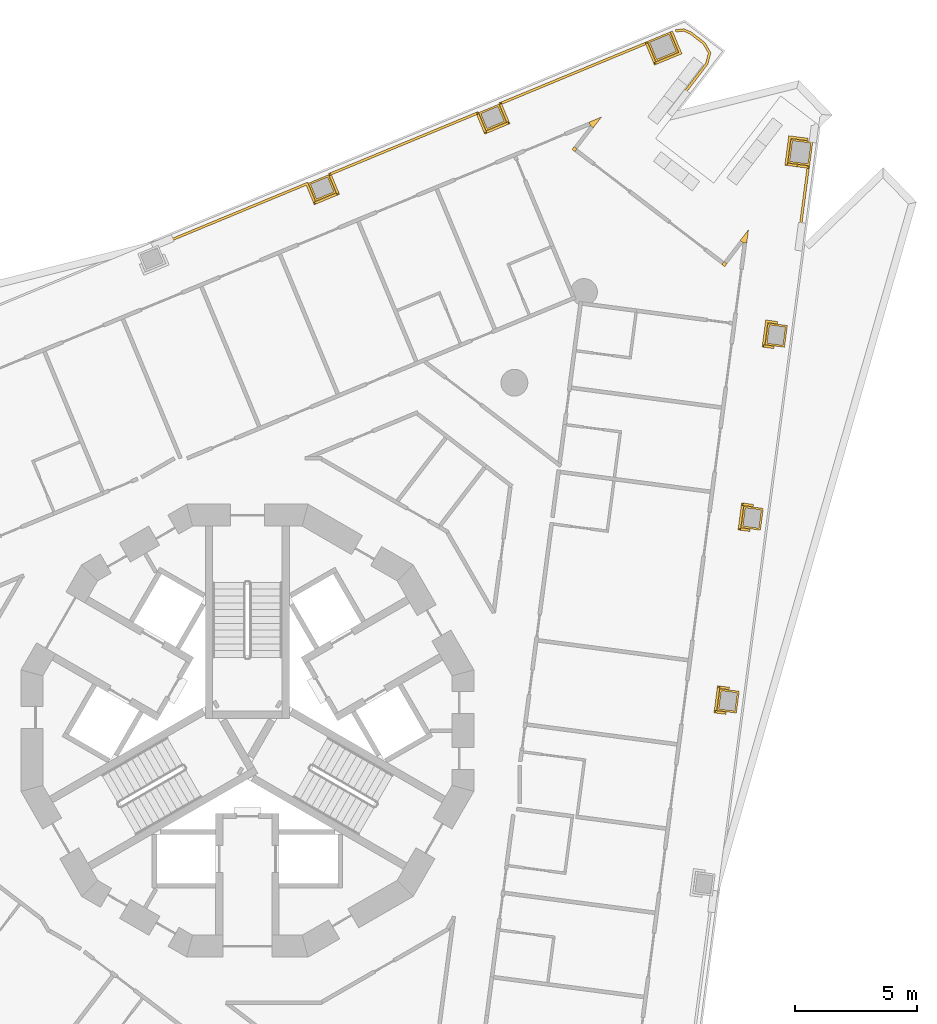
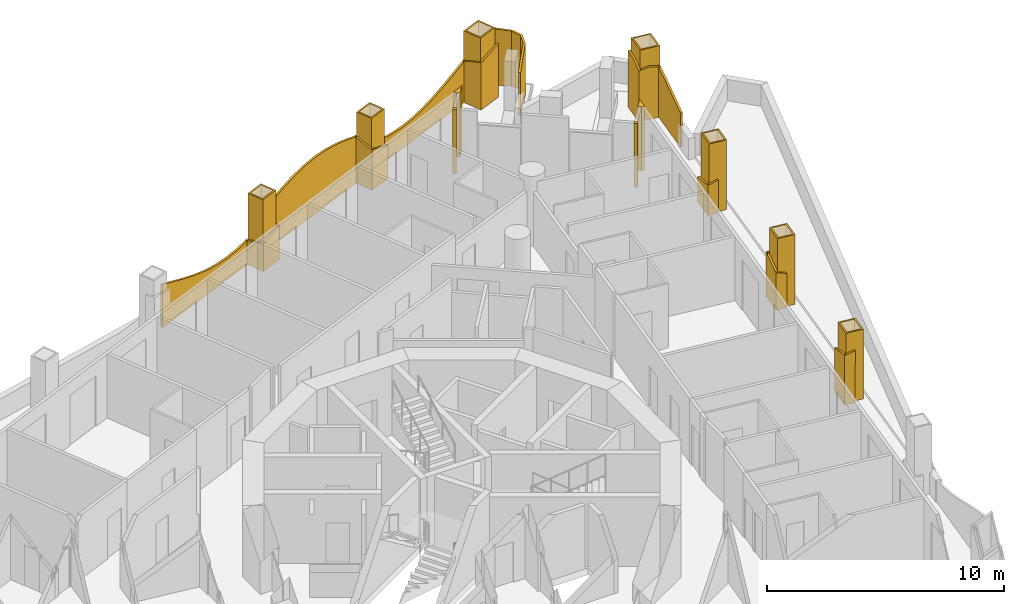
# One storey, part 18 of 19: 11 coverings, 6 railings.
"""IFC4 building model written with IfcOpenShell, lengths in metres."""

import ifcopenshell
import ifcopenshell.guid

model = None  # the IFC model being written
_history = None  # IfcOwnerHistory: only IFC2X3 demands one
_inside = {}  # id of a spatial element -> (the spatial element, [elements in it])
_under = {}  # id of a project, library or spatial element -> (it, [spatial elements below it])
_declared = {}  # id of a project -> (the project, [libraries it declares])
_typed = {}  # id of a type object -> (the type object, [elements of that type])
_made_of = {}  # id of a material, layer set ... -> (it, [elements and type objects made of it])


def new_model(schema):
    """Start an empty IFC model of exactly this schema.

    Asked for "IFC4X3", IfcOpenShell would pick the latest addendum, in which some entities
    have other attributes; the version numbers below select the first issue.
    IFC2X3 requires an IfcOwnerHistory on every rooted entity: one is made here for all.
    """
    global model, _history
    if schema == "IFC4X3":
        model = ifcopenshell.file(schema_version=(4, 3, 0, 0))
    else:
        model = ifcopenshell.file(schema=schema)
    _inside.clear()
    _under.clear()
    _declared.clear()
    _typed.clear()
    _made_of.clear()
    _history = None
    if model.schema == "IFC2X3":
        org = make("IfcOrganization", Name="unknown")
        user = make(
            "IfcPersonAndOrganization",
            ThePerson=make("IfcPerson", FamilyName="unknown"),
            TheOrganization=org,
        )
        app = make(
            "IfcApplication",
            ApplicationDeveloper=org,
            Version="unknown",
            ApplicationFullName="unknown",
            ApplicationIdentifier="unknown",
        )
        _history = make(
            "IfcOwnerHistory",
            OwningUser=user,
            OwningApplication=app,
            ChangeAction="ADDED",
            CreationDate=0,
        )
    return model


def make(cls, **values):
    """One entity of the class cls with the attributes given. An attribute that is None is left unset."""
    return model.create_entity(
        cls, **{name: value for name, value in values.items() if value is not None}
    )


def rooted(cls, **values):
    """An entity with a GlobalId (a new one), such as an element, a storey or a relation."""
    return make(cls, GlobalId=ifcopenshell.guid.new(), OwnerHistory=_history, **values)


def si_unit(unit_type, name, prefix=None):
    """IfcSIUnit, for example si_unit("LENGTHUNIT", "METRE", prefix="MILLI")."""
    return make("IfcSIUnit", UnitType=unit_type, Prefix=prefix, Name=name)


def assignment(units):
    """IfcUnitAssignment: the units of a project."""
    return None if units is None else make("IfcUnitAssignment", Units=units)


def point(xyz):
    """IfcCartesianPoint."""
    return None if xyz is None else make("IfcCartesianPoint", Coordinates=xyz)


def direction(xyz):
    """IfcDirection."""
    return None if xyz is None else make("IfcDirection", DirectionRatios=xyz)


def frame(location, z_axis=None, x_axis=None):
    """IfcAxis2Placement3D, a coordinate frame: its origin and axes. An axis left out is left unset."""
    return make(
        "IfcAxis2Placement3D",
        Location=point(location),
        Axis=direction(z_axis),
        RefDirection=direction(x_axis),
    )


def origin():
    """The frame at (0, 0, 0) with its axes left unset."""
    return frame((0.0, 0.0, 0.0))


def place(relative_to, where):
    """IfcLocalPlacement: puts the frame where relative to a parent placement (None: the world)."""
    return make(
        "IfcLocalPlacement", PlacementRelTo=relative_to, RelativePlacement=where
    )


def context(
    kind, dimensions, precision=None, world=None, true_north=None, identifier=None
):
    """IfcGeometricRepresentationContext, for example the 3D "Model" context."""
    return make(
        "IfcGeometricRepresentationContext",
        ContextIdentifier=identifier,
        ContextType=kind,
        CoordinateSpaceDimension=dimensions,
        Precision=precision,
        WorldCoordinateSystem=world,
        TrueNorth=true_north,
    )


def subcontext(parent, identifier, kind, view, scale=None):
    """IfcGeometricRepresentationSubContext, for example "Body" below "Model"."""
    return make(
        "IfcGeometricRepresentationSubContext",
        ContextIdentifier=identifier,
        ContextType=kind,
        ParentContext=parent,
        TargetScale=scale,
        TargetView=view,
    )


def project(units=None, contexts=None):
    """IfcProject with its units and contexts."""
    return rooted(
        "IfcProject",
        Name="project",
        RepresentationContexts=contexts,
        UnitsInContext=assignment(units),
    )


def spatial(cls, under=None, at=None, **own):
    """A site, building, storey or space (cls), placed at a placement, below another one or the project."""
    s = rooted(cls, ObjectPlacement=at, **own)
    if under is not None:
        _under.setdefault(under.id(), (under, []))[1].append(s)
    return s


def polyline(points):
    """IfcPolyline through the points."""
    return make("IfcPolyline", Points=[point(p) for p in points])


def outline(outer, holes=None, kind="AREA"):
    """IfcArbitraryClosedProfileDef: a profile drawn as a closed curve; with holes, ...WithVoids."""
    if holes is None:
        return make("IfcArbitraryClosedProfileDef", ProfileType=kind, OuterCurve=outer)
    return make(
        "IfcArbitraryProfileDefWithVoids",
        ProfileType=kind,
        OuterCurve=outer,
        InnerCurves=holes,
    )


def extrude(swept, where, along, depth):
    """IfcExtrudedAreaSolid: the profile swept, set in the frame where, extruded along a direction by depth."""
    return make(
        "IfcExtrudedAreaSolid",
        SweptArea=swept,
        Position=where,
        ExtrudedDirection=direction(along),
        Depth=depth,
    )


def shape(context_of_items, identifier, shape_type, items):
    """IfcShapeRepresentation: the items that make up one representation, for example the "Body"."""
    return make(
        "IfcShapeRepresentation",
        ContextOfItems=context_of_items,
        RepresentationIdentifier=identifier,
        RepresentationType=shape_type,
        Items=items,
    )


def material(Name=None, Category=None):
    """IfcMaterial."""
    return make("IfcMaterial", Name=Name, Category=Category)


def layer(
    of_material, thickness, ventilated=None, Name=None, Category=None, Priority=None
):
    """IfcMaterialLayer: one layer of a wall or slab, of a material (None: an air gap)."""
    return make(
        "IfcMaterialLayer",
        Material=of_material,
        LayerThickness=thickness,
        IsVentilated=ventilated,
        Name=Name,
        Category=Category,
        Priority=Priority,
    )


def layer_set(layers, Name=None):
    """IfcMaterialLayerSet."""
    return make("IfcMaterialLayerSet", MaterialLayers=layers, LayerSetName=Name)


def made_of(thing, what):
    """Note that an element or type object is made of a material, layer set ...; save() writes the relation."""
    if what is not None:
        _made_of.setdefault(what.id(), (what, []))[1].append(thing)
    return thing


def type_object(cls, material=None, **own):
    """A type object (cls), such as IfcWallType, which elements share."""
    return made_of(rooted(cls, **own), material)


def element(
    cls,
    number,
    at=None,
    inside=None,
    cuts=None,
    type_object=None,
    material=None,
    context=None,
    identifier="Body",
    shape_type=None,
    held_by="IfcProductDefinitionShape",
    body=None,
    shapes=None,
    **own,
):
    """One element of the class cls, such as IfcWall. Its Tag is "e" and its number.

    at: its placement. inside: the storey or other place that contains it. cuts: it is an
    opening in that element (IfcRelVoidsElement). A single representation is given by context,
    identifier, shape_type and body (its items); several are given by shapes. held_by: the class
    of the entity that holds the representations. save() writes the other relations.
    """
    e = rooted(cls, Tag="e%d" % number, ObjectPlacement=at, **own)
    if body is not None:
        shapes = [shape(context, identifier, shape_type, body)]
    if shapes is not None:
        e.Representation = make(held_by, Representations=shapes)
    if inside is not None:
        _inside.setdefault(inside.id(), (inside, []))[1].append(e)
    if cuts is not None:
        rooted(
            "IfcRelVoidsElement", RelatingBuildingElement=cuts, RelatedOpeningElement=e
        )
    if type_object is not None:
        _typed.setdefault(type_object.id(), (type_object, []))[1].append(e)
    return made_of(e, material)


def aggregate(whole, parts):
    """IfcRelAggregates: a whole, such as a stair, and the parts it consists of."""
    return rooted("IfcRelAggregates", RelatingObject=whole, RelatedObjects=parts)


def save(model, path):
    """Write the relations noted so far, then the file.

    IfcRelAggregates (storeys below a building ...), IfcRelContainedInSpatialStructure (elements
    in a storey), IfcRelDefinesByType, IfcRelAssociatesMaterial and IfcRelDeclares: one each for
    every whole, place, type object, material and project.
    """
    for whole, parts in _under.values():
        aggregate(whole, parts)
    for where, things in _inside.values():
        rooted(
            "IfcRelContainedInSpatialStructure",
            RelatedElements=things,
            RelatingStructure=where,
        )
    for kind, things in _typed.values():
        rooted("IfcRelDefinesByType", RelatedObjects=things, RelatingType=kind)
    for what, things in _made_of.values():
        rooted("IfcRelAssociatesMaterial", RelatedObjects=things, RelatingMaterial=what)
    for by, libraries in _declared.values():
        rooted("IfcRelDeclares", RelatingContext=by, RelatedDefinitions=libraries)
    model.write(path)


model = new_model("IFC4")

# Units and contexts
model_context = context("Model", 3, precision=1e-05, world=origin(), true_north=direction((0.0, 1.0)))
body_context = subcontext(model_context, "Body", "Model", "MODEL_VIEW")
ifc_project = project(units=[si_unit("LENGTHUNIT", "METRE"), si_unit("AREAUNIT", "SQUARE_METRE"), si_unit("VOLUMEUNIT", "CUBIC_METRE"), si_unit("PLANEANGLEUNIT", "RADIAN"), si_unit("MASSUNIT", "GRAM", prefix="KILO")], contexts=[model_context])

# Site, building, storey
site_placement = place(None, origin())
site = spatial("IfcSite", under=ifc_project, at=site_placement, CompositionType="ELEMENT")
building_placement = place(site_placement, origin())
building = spatial("IfcBuilding", under=site, at=building_placement, Name="Trine Commons Tower", CompositionType="ELEMENT")
storey_placement = place(building_placement, frame((0.0, 0.0, 124.199951171875)))
storey = spatial("IfcBuildingStorey", under=building, at=storey_placement, Name="L31", CompositionType="ELEMENT", Elevation=124.199951171875)

# Coverings
ifc_material_1 = material(Name="Aluminium-framed insulated wall panel", Category="aluminium")
ifc_layer_1 = layer(ifc_material_1, 0.14990234375)
ifc_layer_set_1 = layer_set([ifc_layer_1], Name="Aluminium-framed insulated wall panel")
covering_type_1 = type_object("IfcCoveringType", Name="Glazing corner post, aluminium", PredefinedType="CLADDING", material=ifc_layer_set_1)
covering_1_placement = place(storey_placement, origin())
element("IfcCovering", 1, at=covering_1_placement, inside=storey, type_object=covering_type_1, Name="Glazing corner post 4-05", PredefinedType="CLADDING", context=body_context, shape_type="SweptSolid", body=[
    extrude(outline(polyline([(94.04248046875, 87.272705078125), (94.04248046875, 87.272705078125), (94.16162109375, 87.181396484375), (94.50244140625, 87.62548828125), (93.985107421875, 87.411376953125), (94.04248046875, 87.272705078125)])), origin(), (0.0, 0.0, 1.0), 3.300048828125),
])
covering_2_placement = place(storey_placement, origin())
element("IfcCovering", 2, at=covering_2_placement, inside=storey, type_object=covering_type_1, Name="Glazing corner post 4-06", PredefinedType="CLADDING", context=body_context, shape_type="SweptSolid", body=[
    extrude(outline(polyline([(93.4091796875, 86.201171875), (93.50048828125, 86.320068359375), (93.381591796875, 86.411376953125), (93.290283203125, 86.29248046875), (93.4091796875, 86.201171875)])), origin(), (0.0, 0.0, 1.0), 3.300048828125),
])
covering_3_placement = place(storey_placement, origin())
element("IfcCovering", 3, at=covering_3_placement, inside=storey, type_object=covering_type_1, Name="Glazing corner post 4-07", PredefinedType="CLADDING", context=body_context, shape_type="SweptSolid", body=[
    extrude(outline(polyline([(99.4228515625, 81.586669921875), (99.5419921875, 81.495361328125), (99.63330078125, 81.614501953125), (99.514404296875, 81.705810546875), (99.4228515625, 81.586669921875)])), origin(), (0.0, 0.0, 1.0), 3.300048828125),
])
covering_4_placement = place(storey_placement, origin())
element("IfcCovering", 4, at=covering_4_placement, inside=storey, type_object=covering_type_1, Name="Glazing corner post 4-08", PredefinedType="CLADDING", context=body_context, shape_type="SweptSolid", body=[
    extrude(outline(polyline([(100.44287109375, 82.456298828125), (100.51611328125, 83.01123046875), (100.17529296875, 82.567138671875), (100.294189453125, 82.475830078125), (100.44287109375, 82.456298828125)])), origin(), (0.0, 0.0, 1.0), 3.300048828125),
])
ifc_material_2 = material(Name="Limestone, honed", Category="masonry")
ifc_layer_2 = layer(ifc_material_2, 0.074951171875)
ifc_layer_set_2 = layer_set([ifc_layer_2], Name="Limestone, honed")
covering_type_2 = type_object("IfcCoveringType", Name="Limestone column cladding 75", PredefinedType="CLADDING", material=ifc_layer_set_2)
covering_5_placement = place(storey_placement, origin())
element("IfcCovering", 5, at=covering_5_placement, inside=storey, type_object=covering_type_2, Name="Limestone pier cladding 4-14", PredefinedType="CLADDING", context=body_context, shape_type="SweptSolid", body=[
    extrude(outline(polyline([(83.62841796875, 84.517822265625), (83.322265625, 85.2568359375), (82.49072265625, 84.912353515625), (82.796875, 84.17333984375), (83.62841796875, 84.517822265625)]), holes=[polyline([(83.5302734375, 84.558349609375), (83.281494140625, 85.158935546875), (82.588623046875, 84.871826171875), (82.83740234375, 84.271240234375), (83.5302734375, 84.558349609375)])]), origin(), (0.0, 0.0, 1.0), 3.60009765625),
])
covering_6_placement = place(storey_placement, origin())
element("IfcCovering", 6, at=covering_6_placement, inside=storey, type_object=covering_type_2, Name="Limestone pier cladding 4-15", PredefinedType="CLADDING", context=body_context, shape_type="SweptSolid", body=[
    extrude(outline(polyline([(90.60546875, 87.40771484375), (90.29931640625, 88.14697265625), (89.4677734375, 87.802490234375), (89.77392578125, 87.063232421875), (90.60546875, 87.40771484375)]), holes=[polyline([(90.50732421875, 87.4482421875), (90.2587890625, 88.048828125), (89.56591796875, 87.761962890625), (89.814453125, 87.161376953125), (90.50732421875, 87.4482421875)])]), origin(), (0.0, 0.0, 1.0), 3.60009765625),
])
covering_7_placement = place(storey_placement, origin())
element("IfcCovering", 7, at=covering_7_placement, inside=storey, type_object=covering_type_2, Name="Limestone pier cladding 4-16", PredefinedType="CLADDING", context=body_context, shape_type="SweptSolid", body=[
    extrude(outline(polyline([(97.647705078125, 90.270751953125), (97.30322265625, 91.102294921875), (96.37939453125, 90.719482421875), (96.723876953125, 89.887939453125), (97.647705078125, 90.270751953125)]), holes=[polyline([(97.5498046875, 90.311279296875), (97.2626953125, 91.004150390625), (96.477294921875, 90.678955078125), (96.764404296875, 89.986083984375), (97.5498046875, 90.311279296875)])]), origin(), (0.0, 0.0, 1.0), 3.60009765625),
])
covering_8_placement = place(storey_placement, origin())
element("IfcCovering", 8, at=covering_8_placement, inside=storey, type_object=covering_type_2, Name="Limestone pier cladding 4-17", PredefinedType="CLADDING", context=body_context, shape_type="SweptSolid", body=[
    extrude(outline(polyline([(103.149169921875, 86.61669921875), (102.2568359375, 86.734130859375), (102.126220703125, 85.74267578125), (103.0185546875, 85.625), (103.149169921875, 86.61669921875)]), holes=[polyline([(103.06494140625, 86.552001953125), (102.3212890625, 86.64990234375), (102.21044921875, 85.80712890625), (102.9541015625, 85.709228515625), (103.06494140625, 86.552001953125)])]), origin(), (0.0, 0.0, 1.0), 3.60009765625),
])
covering_9_placement = place(storey_placement, origin())
element("IfcCovering", 9, at=covering_9_placement, inside=storey, type_object=covering_type_2, Name="Limestone pier cladding 4-18", PredefinedType="CLADDING", context=body_context, shape_type="SweptSolid", body=[
    extrude(outline(polyline([(102.107421875, 79.086181640625), (101.314208984375, 79.190673828125), (101.19677734375, 78.29833984375), (101.98974609375, 78.19384765625), (102.107421875, 79.086181640625)]), holes=[polyline([(102.023193359375, 79.021484375), (101.378662109375, 79.1064453125), (101.28076171875, 78.36279296875), (101.92529296875, 78.278076171875), (102.023193359375, 79.021484375)])]), origin(), (0.0, 0.0, 1.0), 3.60009765625),
])
covering_10_placement = place(storey_placement, origin())
element("IfcCovering", 10, at=covering_10_placement, inside=storey, type_object=covering_type_2, Name="Limestone pier cladding 4-19", PredefinedType="CLADDING", context=body_context, shape_type="SweptSolid", body=[
    extrude(outline(polyline([(101.12158203125, 71.598876953125), (100.328369140625, 71.703369140625), (100.2109375, 70.81103515625), (101.00390625, 70.70654296875), (101.12158203125, 71.598876953125)]), holes=[polyline([(101.037353515625, 71.5341796875), (100.392822265625, 71.619140625), (100.294921875, 70.87548828125), (100.939453125, 70.790771484375), (101.037353515625, 71.5341796875)])]), origin(), (0.0, 0.0, 1.0), 3.60009765625),
])
covering_11_placement = place(storey_placement, origin())
element("IfcCovering", 11, at=covering_11_placement, inside=storey, type_object=covering_type_2, Name="Limestone pier cladding 4-20", PredefinedType="CLADDING", context=body_context, shape_type="SweptSolid", body=[
    extrude(outline(polyline([(100.1357421875, 64.111572265625), (99.3427734375, 64.216064453125), (99.22509765625, 63.32373046875), (100.018310546875, 63.21923828125), (100.1357421875, 64.111572265625)]), holes=[polyline([(100.0517578125, 64.047119140625), (99.4072265625, 64.1318359375), (99.309326171875, 63.38818359375), (99.953857421875, 63.303466796875), (100.0517578125, 64.047119140625)])]), origin(), (0.0, 0.0, 1.0), 3.60009765625),
])

# Railings
ifc_material_3 = material(Name="White powder-coated aluminium", Category="aluminium")
ifc_layer_3 = layer(ifc_material_3, 0.10009765625)
ifc_layer_set_3 = layer_set([ifc_layer_3], Name="White powder-coated aluminium")
railing_type = type_object("IfcRailingType", Name="White balustrade band 100", PredefinedType="GUARDRAIL", material=ifc_layer_set_3)
railing_1_placement = place(storey_placement, origin())
element("IfcRailing", 12, at=railing_1_placement, inside=storey, type_object=railing_type, Name="Guard band L31 12", PredefinedType="GUARDRAIL", context=body_context, shape_type="SweptSolid", body=[
    extrude(outline(polyline([(0.0, 0.0), (5.98779296875, 0.0), (5.98779296875, 1.243408203125), (5.98779296875, 1.243408203125), (5.250732421875, 1.134033203125), (4.563232421875, 1.10009765625), (4.513671875, 1.100341796875), (3.776611328125, 1.14453125), (3.03955078125, 1.263427734375), (2.302490234375, 1.4462890625), (1.5654296875, 1.677490234375), (0.82861328125, 1.936767578125), (0.09130859375, 2.201416015625), (0.0, 2.23193359375), (0.0, 0.0)])), frame((76.931396484375, 82.663818359375, 0.0), z_axis=(0.382660284795, -0.923889120209, 0.0), x_axis=(0.923889120209, 0.382660284795, 0.0)), (0.0, 0.0, 1.0), 0.10009765625),
    extrude(outline(polyline([(0.0, 0.0), (0.9619140625, 0.0), (0.961669921875, 1.453369140625), (0.480712890625, 1.326171875), (0.0, 1.22412109375), (0.0, 0.0)])), frame((82.462158203125, 84.955322265625, 0.0), z_axis=(-0.92394569215, -0.3825236698, 0.0), x_axis=(0.3825236698, -0.92394569215, 0.0)), (0.0, 0.0, 1.0), 0.10009765625),
    extrude(outline(polyline([(0.0, 0.0), (1.121826171875, 0.0), (1.121826171875, 1.783203125), (0.560791015625, 1.593505859375), (0.0, 1.424560546875), (0.0, 0.0)])), frame((82.698486328125, 84.12158203125, 0.0), z_axis=(0.382806665065, -0.923828478226, 0.0), x_axis=(0.923828478226, 0.382806665065, 0.0)), (0.0, 0.0, 1.0), 0.10009765625),
    extrude(outline(polyline([(0.0, 0.0), (0.9619140625, 0.0), (0.9619140625, 2.091796875), (0.48095703125, 1.918212890625), (0.0, 1.74755859375), (0.0, 0.0)])), frame((83.679931640625, 84.41943359375, 0.0), z_axis=(0.923855963606, 0.38274032778, 0.0), x_axis=(-0.38274032778, 0.923855963606, 0.0)), (0.0, 0.0, 1.0), 0.10009765625),
    extrude(outline(polyline([(0.0, 0.0), (6.634521484375, 0.0), (6.63427734375, 2.36328125), (5.897216796875, 2.587646484375), (5.159912109375, 2.760986328125), (4.4228515625, 2.8681640625), (3.758056640625, 2.900146484375), (3.685791015625, 2.899658203125), (2.948486328125, 2.852783203125), (2.21142578125, 2.73193359375), (1.474365234375, 2.547119140625), (0.737060546875, 2.31494140625), (0.0, 2.054931640625), (0.0, 0.0)])), frame((83.3115234375, 85.306396484375, 0.0), z_axis=(0.382707124678, -0.923869718478, 0.0), x_axis=(0.923869718478, 0.382707124678, 0.0)), (0.0, 0.0, 1.0), 0.10009765625),
    extrude(outline(polyline([(0.0, 0.0), (0.96142578125, 0.0), (0.961181640625, 2.063232421875), (0.480712890625, 2.234130859375), (0.0, 2.396484375), (0.0, 0.0)])), frame((89.439208984375, 87.84521484375, 0.0), z_axis=(-0.92387135647, -0.382703170478, 0.0), x_axis=(0.382703170478, -0.92387135647, 0.0)), (0.0, 0.0, 1.0), 0.10009765625),
    extrude(outline(polyline([(0.0, 0.0), (1.121337890625, 0.0), (1.121337890625, 1.7001953125), (0.560791015625, 1.8974609375), (0.0, 2.099609375), (0.0, 0.0)])), frame((89.67578125, 87.01171875, 0.0), z_axis=(0.382774840167, -0.923841664862, 0.0), x_axis=(0.923841664862, 0.382774840167, 0.0)), (0.0, 0.0, 1.0), 0.10009765625),
    extrude(outline(polyline([(0.0, 0.0), (0.96142578125, 0.0), (0.96142578125, 1.4306640625), (0.480712890625, 1.574951171875), (0.0, 1.735107421875), (0.0, 0.0)])), frame((90.656982421875, 87.3095703125, 0.0), z_axis=(0.92387135647, 0.382703170478, 0.0), x_axis=(-0.382703170478, 0.92387135647, 0.0)), (0.0, 0.0, 1.0), 0.10009765625),
    extrude(outline(polyline([(0.0, 0.0), (6.583740234375, 0.0), (6.583740234375, 2.13232421875), (5.852294921875, 1.86865234375), (5.12060546875, 1.616455078125), (4.38916015625, 1.39697265625), (3.65771484375, 1.229248046875), (2.926025390625, 1.127685546875), (2.306396484375, 1.10009765625), (2.194580078125, 1.100830078125), (1.462890625, 1.1513671875), (0.7314453125, 1.274169921875), (0.0, 1.45947265625), (0.0, 0.0)])), frame((90.288818359375, 88.196533203125, 0.0), z_axis=(0.382692399575, -0.92387581812, 0.0), x_axis=(0.92387581812, 0.382692399575, 0.0)), (0.0, 0.0, 1.0), 0.10009765625),
    extrude(outline(polyline([(0.0, 0.0), (1.01171875, 0.0), (1.011962890625, 2.441650390625), (0.506103515625, 2.2744140625), (0.0, 2.095703125), (0.0, 0.0)])), frame((96.369873046875, 90.71630859375, 0.0), z_axis=(-0.923881556867, -0.382678545101, 0.0), x_axis=(0.382678545101, -0.923881556867, 0.0)), (0.0, 0.0, 1.0), 0.10009765625),
    extrude(outline(polyline([(0.0, 0.0), (1.2216796875, 0.0), (1.2216796875, 2.73876953125), (0.61083984375, 2.591796875), (0.0, 2.409423828125), (0.0, 0.0)])), frame((96.625732421875, 89.83642578125, 0.0), z_axis=(0.382698903794, -0.923873123884, 0.0), x_axis=(0.923873123884, 0.382698903794, 0.0)), (0.0, 0.0, 1.0), 0.10009765625),
    extrude(outline(polyline([(0.0, 0.0), (1.01171875, 0.0), (1.01171875, 2.873779296875), (0.505859375, 2.812255859375), (0.0, 2.717041015625), (0.0, 0.0)])), frame((97.69921875, 90.17236328125, 0.0), z_axis=(0.923881556867, 0.382678545101, 0.0), x_axis=(-0.382678545101, 0.923881556867, 0.0)), (0.0, 0.0, 1.0), 0.10009765625),
])
railing_2_placement = place(storey_placement, origin())
element("IfcRailing", 13, at=railing_2_placement, inside=storey, type_object=railing_type, Name="Guard band L31 13", PredefinedType="GUARDRAIL", context=body_context, shape_type="SweptSolid", body=[
    extrude(outline(polyline([(0.0, 0.0), (0.332275390625, 0.0), (0.33203125, 2.8984375), (0.0, 2.883056640625), (0.0, 0.0)])), frame((97.528564453125, 91.195556640625, 0.0), z_axis=(0.130815710202, -0.991406702602, 0.0), x_axis=(0.991406702602, 0.130815710202, 0.0)), (0.0, 0.0, 1.0), 0.10009765625),
    extrude(outline(polyline([(0.0, 0.0), (0.33251953125, 0.0), (0.33251953125, 2.8984375), (0.18017578125, 2.900146484375), (0.0, 2.897705078125), (0.0, 0.0)])), frame((97.856201171875, 91.2392578125, 0.0), z_axis=(-0.382632867801, -0.923900475419, 0.0), x_axis=(0.923900475419, -0.382632867801, 0.0)), (0.0, 0.0, 1.0), 0.10009765625),
    extrude(outline(polyline([(0.0, 0.0), (0.72021484375, 0.0), (0.72021484375, 2.84716796875), (0.0, 2.898681640625), (0.0, 0.0)])), frame((98.162353515625, 91.11279296875, 0.0), z_axis=(-0.608858477628, -0.793278862834, 0.0), x_axis=(0.793278862834, -0.608858477628, 0.0)), (0.0, 0.0, 1.0), 0.10009765625),
    extrude(outline(polyline([(0.0, 0.0), (0.49169921875, 0.0), (0.491455078125, 2.77490234375), (0.0, 2.849853515625), (0.0, 0.0)])), frame((98.732666015625, 90.675537109375, 0.0), z_axis=(-0.866003658127, -0.500037662692, 0.0), x_axis=(0.500037662692, -0.866003658127, 0.0)), (0.0, 0.0, 1.0), 0.10009765625),
    extrude(outline(polyline([(0.0, 0.0), (0.49169921875, 0.0), (0.49169921875, 2.680419921875), (0.0, 2.782958984375), (0.0, 0.0)])), frame((98.97802734375, 90.251220703125, 0.0), z_axis=(-0.965821615566, 0.259207652095, 0.0), x_axis=(-0.259207652095, -0.965821615566, 0.0)), (0.0, 0.0, 1.0), 0.10009765625),
    extrude(outline(polyline([(0.0, 0.0), (1.5380859375, 0.0), (1.5380859375, 2.2197265625), (1.328857421875, 2.29345703125), (0.664306640625, 2.507568359375), (0.0, 2.685546875), (0.0, 0.0)])), frame((98.8515625, 89.778076171875, 0.0), z_axis=(-0.793361028493, 0.608751409418, 0.0), x_axis=(-0.608751409418, -0.793361028493, 0.0)), (0.0, 0.0, 1.0), 0.10009765625),
])
railing_3_placement = place(storey_placement, origin())
element("IfcRailing", 14, at=railing_3_placement, inside=storey, type_object=railing_type, Name="Guard band L31 14", PredefinedType="GUARDRAIL", context=body_context, shape_type="SweptSolid", body=[
    extrude(outline(polyline([(0.0, 0.0), (0.79931640625, 0.0), (0.799072265625, 2.8984375), (0.656982421875, 2.900146484375), (0.293212890625, 2.890380859375), (0.0, 2.864501953125), (0.0, 0.0)])), frame((102.940185546875, 86.654296875, 0.0), z_axis=(0.130422908087, 0.991458453515, 0.0), x_axis=(-0.991458453515, 0.130422908087, 0.0)), (0.0, 0.0, 1.0), 0.10009765625),
    extrude(outline(polyline([(0.0, 0.0), (1.221923828125, 0.0), (1.221923828125, 2.630126953125), (0.611083984375, 2.869384765625), (0.0, 2.89990234375), (0.0, 0.0)])), frame((102.261474609375, 86.844970703125, 0.0), z_axis=(-0.991425708969, 0.130671586793, 0.0), x_axis=(-0.130671586793, -0.991425708969, 0.0)), (0.0, 0.0, 1.0), 0.10009765625),
    extrude(outline(polyline([(0.0, 0.0), (1.011474609375, 0.0), (1.011474609375, 2.578857421875), (0.505615234375, 2.7060546875), (0.0, 2.630126953125), (0.0, 0.0)])), frame((102.01513671875, 85.7470703125, 0.0), z_axis=(-0.130329646384, -0.991470717305, 0.0), x_axis=(0.991470717305, -0.130329646384, 0.0)), (0.0, 0.0, 1.0), 0.10009765625),
    extrude(outline(polyline([(0.0, 0.0), (2.50341796875, 0.0), (2.503173828125, 1.765869140625), (2.194580078125, 1.87255859375), (1.463134765625, 2.135986328125), (0.7314453125, 2.387939453125), (0.0, 2.6064453125), (0.0, 0.0)])), frame((103.017333984375, 85.6162109375, 0.0), z_axis=(-0.991449647655, 0.130489831651, 0.0), x_axis=(-0.130489831651, -0.991449647655, 0.0)), (0.0, 0.0, 1.0), 0.10009765625),
])
railing_4_placement = place(storey_placement, origin())
element("IfcRailing", 15, at=railing_4_placement, inside=storey, type_object=railing_type, Name="Guard band L31 15", PredefinedType="GUARDRAIL", context=body_context, shape_type="SweptSolid", body=[
    extrude(outline(polyline([(0.0, 0.0), (0.490966796875, 0.0), (0.490966796875, 1.30029296875), (0.49072265625, 1.30029296875), (0.010009765625, 1.204833984375), (0.0, 1.203369140625), (0.0, 0.0)])), frame((101.692138671875, 79.15087890625, 0.0), z_axis=(0.130763182186, 0.991413632237, 0.0), x_axis=(-0.991413632237, 0.130763182186, 0.0)), (0.0, 0.0, 1.0), 0.10009765625),
    extrude(outline(polyline([(0.0, 0.0), (1.12158203125, 0.0), (1.12158203125, 1.583740234375), (0.560791015625, 1.416015625), (0.0, 1.27783203125), (0.0, 0.0)])), frame((101.318603515625, 79.301513671875, 0.0), z_axis=(-0.991463924034, 0.130381315147, 0.0), x_axis=(-0.130381315147, -0.991463924034, 0.0)), (0.0, 0.0, 1.0), 0.10009765625),
    extrude(outline(polyline([(0.0, 0.0), (0.490478515625, 0.0), (0.490478515625, 1.713134765625), (0.480712890625, 1.709716796875), (0.0, 1.551513671875), (0.0, 0.0)])), frame((101.085693359375, 78.302734375, 0.0), z_axis=(-0.130403012289, -0.991461070535, 0.0), x_axis=(0.991461070535, -0.130403012289, 0.0)), (0.0, 0.0, 1.0), 0.10009765625),
])
railing_5_placement = place(storey_placement, origin())
element("IfcRailing", 16, at=railing_5_placement, inside=storey, type_object=railing_type, Name="Guard band L31 16", PredefinedType="GUARDRAIL", context=body_context, shape_type="SweptSolid", body=[
    extrude(outline(polyline([(0.0, 0.0), (0.4912109375, 0.0), (0.491455078125, 2.2724609375), (0.01025390625, 2.43212890625), (0.0, 2.435302734375), (0.0, 0.0)])), frame((100.706298828125, 71.66357421875, 0.0), z_axis=(0.130698756665, 0.991422127555, 0.0), x_axis=(-0.991422127555, 0.130698756665, 0.0)), (0.0, 0.0, 1.0), 0.10009765625),
    extrude(outline(polyline([(0.0, 0.0), (1.12109375, 0.0), (1.12109375, 1.908447265625), (0.560546875, 2.110595703125), (0.0, 2.307373046875), (0.0, 0.0)])), frame((100.332763671875, 71.81396484375, 0.0), z_axis=(-0.991456518941, 0.130437613627, 0.0), x_axis=(-0.130437613627, -0.991456518941, 0.0)), (0.0, 0.0, 1.0), 0.10009765625),
    extrude(outline(polyline([(0.0, 0.0), (0.490478515625, 0.0), (0.490478515625, 1.770263671875), (0.480712890625, 1.7734375), (0.0, 1.945068359375), (0.0, 0.0)])), frame((100.10009765625, 70.8154296875, 0.0), z_axis=(-0.130403012289, -0.991461070535, 0.0), x_axis=(0.991461070535, -0.130403012289, 0.0)), (0.0, 0.0, 1.0), 0.10009765625),
])
railing_6_placement = place(storey_placement, origin())
element("IfcRailing", 17, at=railing_6_placement, inside=storey, type_object=railing_type, Name="Guard band L31 17", PredefinedType="GUARDRAIL", context=body_context, shape_type="SweptSolid", body=[
    extrude(outline(polyline([(0.0, 0.0), (0.490966796875, 0.0), (0.4912109375, 2.24462890625), (0.490966796875, 2.24462890625), (0.010009765625, 2.073974609375), (0.0, 2.0703125), (0.0, 0.0)])), frame((99.720703125, 64.17626953125, 0.0), z_axis=(0.130763182186, 0.991413632237, 0.0), x_axis=(-0.991413632237, 0.130763182186, 0.0)), (0.0, 0.0, 1.0), 0.10009765625),
    extrude(outline(polyline([(0.0, 0.0), (1.1220703125, 0.0), (1.1220703125, 2.569580078125), (0.56103515625, 2.3994140625), (0.0, 2.208984375), (0.0, 0.0)])), frame((99.34716796875, 64.3271484375, 0.0), z_axis=(-0.991443184143, 0.130538931421, 0.0), x_axis=(-0.130538931421, -0.991443184143, 0.0)), (0.0, 0.0, 1.0), 0.10009765625),
    extrude(outline(polyline([(0.0, 0.0), (0.490234375, 0.0), (0.490478515625, 2.6708984375), (0.480712890625, 2.668701171875), (0.0, 2.54052734375), (0.0, 0.0)])), frame((99.114501953125, 63.328125, 0.0), z_axis=(-0.130467393943, -0.99145260054, 0.0), x_axis=(0.99145260054, -0.130467393943, 0.0)), (0.0, 0.0, 1.0), 0.10009765625),
])

save(model, "model.ifc")
